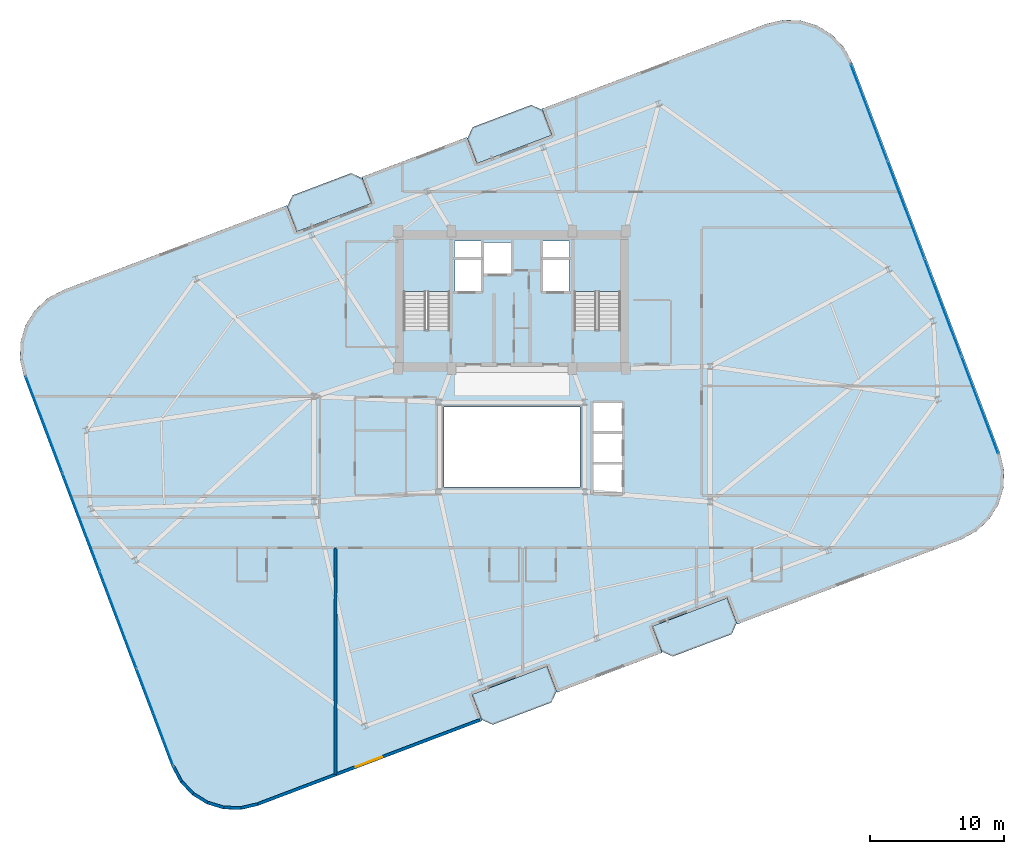
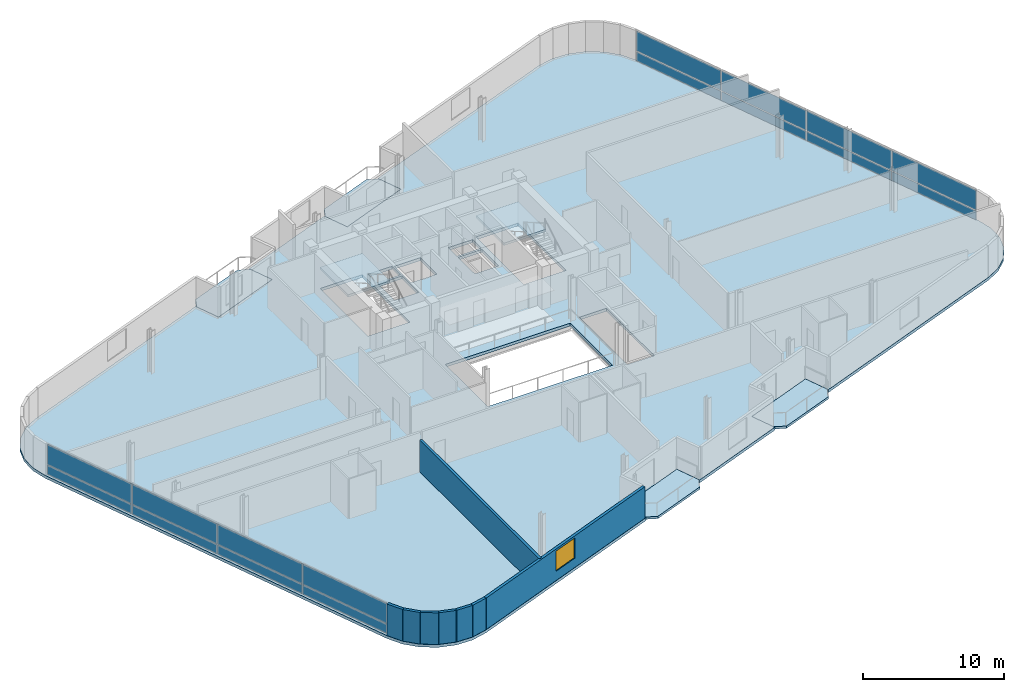
# One storey, part 13 of 19: 16 plates, 8 walls, 7 slabs, 1 window, 1 opening, 4 elements without a shape of their own.
"""IFC4 building model written with IfcOpenShell, lengths in metres."""

from ifc_helpers import new_model, si_unit, direction, frame, frame_2d, origin, origin_2d, place, context, subcontext, project, spatial, polyline, rectangle, outline, extrude, source, transform, mapped, material, layer, layer_set, type_object, element, fill, aggregate, save


model = new_model("IFC4")

# Units and contexts
model_context = context("Model", 3, precision=1e-05, world=origin(), true_north=direction((0.0, 1.0)))
body_context = subcontext(model_context, "Body", "Model", "MODEL_VIEW")
ifc_project = project(units=[si_unit("LENGTHUNIT", "METRE"), si_unit("AREAUNIT", "SQUARE_METRE"), si_unit("VOLUMEUNIT", "CUBIC_METRE"), si_unit("PLANEANGLEUNIT", "RADIAN"), si_unit("MASSUNIT", "GRAM", prefix="KILO")], contexts=[model_context])

# Site, building, storey
site_placement = place(None, origin())
site = spatial("IfcSite", under=ifc_project, at=site_placement, CompositionType="ELEMENT")
building_placement = place(site_placement, origin())
building = spatial("IfcBuilding", under=site, at=building_placement, Name="Varnelok Gate Tower", CompositionType="ELEMENT")
storey_placement = place(building_placement, frame((0.0, 0.0, 246.0)))
storey = spatial("IfcBuildingStorey", under=building, at=storey_placement, Name="L63", CompositionType="ELEMENT", Elevation=246.0)

# Slabs
ifc_material_1 = material(Name="Concrete C45/55", Category="concrete")
ifc_layer_1 = layer(ifc_material_1, 0.199951171875)
ifc_layer_set_1 = layer_set([ifc_layer_1], Name="Concrete C45/55")
slab_type_1 = type_object("IfcSlabType", Name="SLB-BALC-200", PredefinedType="FLOOR", material=ifc_layer_set_1)
slab_1_placement = place(storey_placement, frame((0.0, 0.0, -0.199951171875)))
element("IfcSlab", 1, at=slab_1_placement, inside=storey, type_object=slab_type_1, Name="L63 South Hollow Balcony 1", PredefinedType="FLOOR", context=body_context, shape_type="SweptSolid", body=[
    extrude(outline(polyline([(36.9189453125, 2.5166015625), (37.757080078125, 2.138916015625), (42.152587890625, 3.802978515625), (42.530517578125, 4.640869140625), (41.822265625, 6.51123046875), (36.2109375, 4.386962890625), (36.9189453125, 2.5166015625)])), origin(), (0.0, 0.0, 1.0), 0.199951171875),
])
slab_2_placement = place(storey_placement, frame((0.0, 0.0, -0.199951171875)))
element("IfcSlab", 2, at=slab_2_placement, inside=storey, type_object=slab_type_1, Name="L63 South Hollow Balcony 2", PredefinedType="FLOOR", context=body_context, shape_type="SweptSolid", body=[
    extrude(outline(polyline([(50.38623046875, 7.614990234375), (51.22412109375, 7.2373046875), (55.619873046875, 8.9013671875), (55.99755859375, 9.739501953125), (55.289306640625, 11.60986328125), (49.677978515625, 9.485595703125), (50.38623046875, 7.614990234375)])), origin(), (0.0, 0.0, 1.0), 0.199951171875),
])
slab_3_placement = place(storey_placement, frame((0.0, 0.0, -0.199951171875)))
element("IfcSlab", 3, at=slab_3_placement, inside=storey, type_object=slab_type_1, Name="L63 North Hollow Balcony 1", PredefinedType="FLOOR", context=body_context, shape_type="SweptSolid", body=[
    extrude(outline(polyline([(23.110595703125, 38.990234375), (28.721923828125, 41.114501953125), (28.013916015625, 42.985107421875), (27.17578125, 43.36279296875), (22.7802734375, 41.698486328125), (22.402587890625, 40.860595703125), (23.110595703125, 38.990234375)])), origin(), (0.0, 0.0, 1.0), 0.199951171875),
])
slab_4_placement = place(storey_placement, frame((0.0, 0.0, -0.199951171875)))
element("IfcSlab", 4, at=slab_4_placement, inside=storey, type_object=slab_type_1, Name="L63 North Hollow Balcony 2", PredefinedType="FLOOR", context=body_context, shape_type="SweptSolid", body=[
    extrude(outline(polyline([(36.577880859375, 44.088623046875), (42.189208984375, 46.212890625), (41.48095703125, 48.08349609375), (40.642822265625, 48.461181640625), (36.247314453125, 46.797119140625), (35.86962890625, 45.958984375), (36.577880859375, 44.088623046875)])), origin(), (0.0, 0.0, 1.0), 0.199951171875),
])

# Stair, slab
ifc_material_2 = material(Name="Concrete C50/60", Category="concrete")
stair_type = type_object("IfcStairType", Name="STR-CORE-1650", PredefinedType="HALF_TURN_STAIR", material=ifc_material_2)
stair_1_placement = place(storey_placement, origin())
stair_1 = element("IfcStair", 5, at=stair_1_placement, inside=storey, type_object=stair_type, Name="L63 Exit Stair ST-1", PredefinedType="HALF_TURN_STAIR")
ifc_layer_2 = layer(ifc_material_1, 0.199951171875)
ifc_layer_set_2 = layer_set([ifc_layer_2], Name="Concrete C45/55")
slab_type_2 = type_object("IfcSlabType", Name="SLB-LAND-200", PredefinedType="LANDING", material=ifc_layer_set_2)
slab_5_placement = place(storey_placement, frame((0.0, 0.0, 1.64990234375)))
slab_5 = element("IfcSlab", 6, at=slab_5_placement, type_object=slab_type_2, Name="ST-1 landing 1", PredefinedType="LANDING", context=body_context, shape_type="SweptSolid", body=[
    extrude(outline(polyline([(34.550048828125, 34.5), (34.550048828125, 38.449951171875), (31.10009765625, 38.449951171875), (31.10009765625, 34.5), (34.550048828125, 34.5)])), origin(), (0.0, 0.0, 1.0), 0.2001953125),
])
aggregate(stair_1, [slab_5])

stair_2_placement = place(storey_placement, origin())
stair_2 = element("IfcStair", 7, at=stair_2_placement, inside=storey, type_object=stair_type, Name="L63 Exit Stair ST-2", PredefinedType="HALF_TURN_STAIR")
slab_6_placement = place(storey_placement, frame((0.0, 0.0, 1.64990234375)))
slab_6 = element("IfcSlab", 8, at=slab_6_placement, type_object=slab_type_2, Name="ST-2 landing 1", PredefinedType="LANDING", context=body_context, shape_type="SweptSolid", body=[
    extrude(outline(polyline([(47.300048828125, 34.5), (47.300048828125, 38.449951171875), (43.85009765625, 38.449951171875), (43.85009765625, 34.5), (47.300048828125, 34.5)])), origin(), (0.0, 0.0, 1.0), 0.2001953125),
])
aggregate(stair_2, [slab_6])

# Slab
ifc_layer_3 = layer(ifc_material_2, 0.25)
ifc_layer_set_3 = layer_set([ifc_layer_3], Name="Concrete C50/60")
slab_type_3 = type_object("IfcSlabType", Name="SLB-TYP-250", PredefinedType="FLOOR", material=ifc_layer_set_3)
slab_7_placement = place(storey_placement, frame((0.0, 0.0, -0.25)))
element("IfcSlab", 9, at=slab_7_placement, inside=storey, type_object=slab_type_3, Name="L63 Structural Floor Slab", PredefinedType="FLOOR", context=body_context, shape_type="SweptSolid", body=[
    extrude(outline(polyline([(13.767578125, -1.0087890625), (14.385009765625, -2.158935546875), (15.279296875, -3.10986328125), (16.388916015625, -3.796875), (17.638671875, -4.17333984375), (18.943359375, -4.213623046875), (20.214111328125, -3.914794921875), (29.8779296875, -0.256103515625), (36.954345703125, 2.423095703125), (36.2109375, 4.386962890625), (41.822265625, 6.51123046875), (42.56591796875, 4.54736328125), (50.421630859375, 7.521484375), (49.677978515625, 9.485595703125), (55.289306640625, 11.60986328125), (56.032958984375, 9.64599609375), (63.109619140625, 12.324951171875), (72.7734375, 15.983642578125), (73.92333984375, 16.60107421875), (74.874267578125, 17.495361328125), (75.561279296875, 18.60498046875), (75.93798828125, 19.854736328125), (75.97802734375, 21.159423828125), (75.67919921875, 22.429931640625), (64.632568359375, 51.60888671875), (64.014892578125, 52.7587890625), (63.120849609375, 53.709716796875), (62.010986328125, 54.39697265625), (60.76123046875, 54.7734375), (59.45654296875, 54.813720703125), (58.18603515625, 54.5146484375), (48.522216796875, 50.856201171875), (41.445556640625, 48.177001953125), (42.189208984375, 46.212890625), (36.577880859375, 44.088623046875), (35.834228515625, 46.052490234375), (27.978515625, 43.07861328125), (28.721923828125, 41.114501953125), (23.110595703125, 38.990234375), (22.3671875, 40.9541015625), (15.29052734375, 38.275146484375), (5.626708984375, 34.616455078125), (4.4765625, 33.998779296875), (3.525634765625, 33.104736328125), (2.838623046875, 31.9951171875), (2.462158203125, 30.7451171875), (2.422119140625, 29.440673828125), (2.720703125, 28.169921875), (13.767578125, -1.0087890625)]), holes=[polyline([(34.550048828125, 31.679931640625), (34.550048828125, 38.449951171875), (31.10009765625, 38.449951171875), (31.10009765625, 31.679931640625), (34.550048828125, 31.679931640625)]), polyline([(47.300048828125, 31.679931640625), (47.300048828125, 38.449951171875), (43.85009765625, 38.449951171875), (43.85009765625, 31.679931640625), (47.300048828125, 31.679931640625)]), polyline([(34.949951171875, 34.550048828125), (36.89990234375, 34.550048828125), (36.89990234375, 36.89990234375), (34.949951171875, 36.89990234375), (34.949951171875, 34.550048828125)]), polyline([(41.5, 34.550048828125), (43.449951171875, 34.550048828125), (43.449951171875, 36.89990234375), (41.5, 36.89990234375), (41.5, 34.550048828125)]), polyline([(37.050048828125, 35.85009765625), (39.14990234375, 35.85009765625), (39.14990234375, 38.199951171875), (37.050048828125, 38.199951171875), (37.050048828125, 35.85009765625)]), polyline([(45.25, 19.449951171875), (47.449951171875, 19.449951171875), (47.449951171875, 26.199951171875), (45.25, 26.199951171875), (45.25, 19.449951171875)]), polyline([(34.919921875, 37.080078125), (36.89990234375, 37.080078125), (36.89990234375, 38.280029296875), (34.919921875, 38.280029296875), (34.919921875, 37.080078125)]), polyline([(41.5, 37.080078125), (43.47998046875, 37.080078125), (43.47998046875, 38.280029296875), (41.5, 38.280029296875), (41.5, 37.080078125)]), polyline([(34.10009765625, 19.89990234375), (44.300048828125, 19.89990234375), (44.300048828125, 25.89990234375), (34.10009765625, 25.89990234375), (34.10009765625, 19.89990234375)])]), origin(), (0.0, 0.0, 1.0), 0.25),
])

# Curtain wall, plates
ifc_material_3 = material(Name="Anodized Aluminum Alloy 6063-T6", Category="aluminium")
ifc_layer_4 = layer(ifc_material_3, 0.179931640625)
ifc_layer_set_4 = layer_set([ifc_layer_4], Name="Anodized Aluminum Alloy 6063-T6")
curtain_wall_type = type_object("IfcCurtainWallType", Name="CW4-RESIDENCE-VISION", PredefinedType="USERDEFINED", material=ifc_layer_set_4)
curtain_wall_1_placement = place(storey_placement, origin())
curtain_wall_1 = element("IfcCurtainWall", 10, at=curtain_wall_1_placement, inside=storey, type_object=curtain_wall_type, Name="L63 West End Vision Curtain Wall", ObjectType="UNITISED CURTAIN WALL", PredefinedType="USERDEFINED")
ifc_material_4 = material(Name="Low-E Laminated Double Glazing IGU", Category="glass")
ifc_layer_5 = layer(ifc_material_4, 0.035888671875)
ifc_layer_set_5 = layer_set([ifc_layer_5], Name="Low-E Laminated Double Glazing IGU")
plate_type = type_object("IfcPlateType", Name="CW-PNL-IGU36", PredefinedType="CURTAIN_PANEL", material=ifc_layer_set_5)
shared_shape_1 = source(origin(), body_context, "Body", "SweptSolid", [
    extrude(rectangle(XDim=7.6875, YDim=0.035888671875, at=origin_2d()), origin(), (0.0, 0.0, 1.0), 0.78759765625),
])
plate_1_placement = place(storey_placement, frame((12.510986328125, 2.70556640625, 0.074951171875), z_axis=(0.0, 0.0, 1.0), x_axis=(-0.354063042079, 0.935221557832, 0.0)))
plate_1 = element("IfcPlate", 11, at=plate_1_placement, type_object=plate_type, Name="CW4 panel 1.1", PredefinedType="CURTAIN_PANEL", context=body_context, shape_type="MappedRepresentation", body=[
    mapped(shared_shape_1, transform((0.0, 0.0, 0.0), scale=1.0)),
])
plate_2_placement = place(storey_placement, frame((4.2392578125, 24.5546875, 0.074951171875), z_axis=(0.0, 0.0, 1.0), x_axis=(-0.354063042079, 0.935221557832, 0.0)))
plate_2 = element("IfcPlate", 12, at=plate_2_placement, type_object=plate_type, Name="CW4 panel 4.1", PredefinedType="CURTAIN_PANEL", context=body_context, shape_type="MappedRepresentation", body=[
    mapped(shared_shape_1, transform((0.0, 0.0, 0.0), scale=1.0)),
])

curtain_wall_2_placement = place(storey_placement, origin())
curtain_wall_2 = element("IfcCurtainWall", 13, at=curtain_wall_2_placement, inside=storey, type_object=curtain_wall_type, Name="L63 East End Vision Curtain Wall", ObjectType="UNITISED CURTAIN WALL", PredefinedType="USERDEFINED")
plate_3_placement = place(storey_placement, frame((65.888916015625, 47.89453125, 0.074951171875), z_axis=(0.0, 0.0, 1.0), x_axis=(0.354063042079, -0.935221557832, 0.0)))
plate_3 = element("IfcPlate", 14, at=plate_3_placement, type_object=plate_type, Name="CW4 panel 1.1", PredefinedType="CURTAIN_PANEL", context=body_context, shape_type="MappedRepresentation", body=[
    mapped(shared_shape_1, transform((0.0, 0.0, 0.0), scale=1.0)),
])
plate_4_placement = place(storey_placement, frame((74.160888671875, 26.04541015625, 0.074951171875), z_axis=(0.0, 0.0, 1.0), x_axis=(0.354063042079, -0.935221557832, 0.0)))
plate_4 = element("IfcPlate", 15, at=plate_4_placement, type_object=plate_type, Name="CW4 panel 4.1", PredefinedType="CURTAIN_PANEL", context=body_context, shape_type="MappedRepresentation", body=[
    mapped(shared_shape_1, transform((0.0, 0.0, 0.0), scale=1.0)),
])

# Plate
shared_shape_2 = source(origin(), body_context, "Body", "SweptSolid", [
    extrude(rectangle(XDim=7.6875, YDim=0.035888671875, at=origin_2d()), origin(), (0.0, 0.0, 1.0), 1.717529296875),
])
plate_5_placement = place(storey_placement, frame((12.510986328125, 2.70556640625, 0.9375), z_axis=(0.0, 0.0, 1.0), x_axis=(-0.354063042079, 0.935221557832, 0.0)))
plate_5 = element("IfcPlate", 16, at=plate_5_placement, type_object=plate_type, Name="CW4 panel 1.2", PredefinedType="CURTAIN_PANEL", context=body_context, shape_type="MappedRepresentation", body=[
    mapped(shared_shape_2, transform((0.0, 0.0, 0.0), scale=1.0)),
])

plate_6_placement = place(storey_placement, frame((4.2392578125, 24.5546875, 0.9375), z_axis=(0.0, 0.0, 1.0), x_axis=(-0.354063042079, 0.935221557832, 0.0)))
plate_6 = element("IfcPlate", 17, at=plate_6_placement, type_object=plate_type, Name="CW4 panel 4.2", PredefinedType="CURTAIN_PANEL", context=body_context, shape_type="MappedRepresentation", body=[
    mapped(shared_shape_2, transform((0.0, 0.0, 0.0), scale=1.0)),
])

plate_7_placement = place(storey_placement, frame((65.888916015625, 47.89453125, 0.9375), z_axis=(0.0, 0.0, 1.0), x_axis=(0.354063042079, -0.935221557832, 0.0)))
plate_7 = element("IfcPlate", 18, at=plate_7_placement, type_object=plate_type, Name="CW4 panel 1.2", PredefinedType="CURTAIN_PANEL", context=body_context, shape_type="MappedRepresentation", body=[
    mapped(shared_shape_2, transform((0.0, 0.0, 0.0), scale=1.0)),
])

plate_8_placement = place(storey_placement, frame((74.160888671875, 26.04541015625, 0.9375), z_axis=(0.0, 0.0, 1.0), x_axis=(0.354063042079, -0.935221557832, 0.0)))
plate_8 = element("IfcPlate", 19, at=plate_8_placement, type_object=plate_type, Name="CW4 panel 4.2", PredefinedType="CURTAIN_PANEL", context=body_context, shape_type="MappedRepresentation", body=[
    mapped(shared_shape_2, transform((0.0, 0.0, 0.0), scale=1.0)),
])

shared_shape_3 = source(origin(), body_context, "Body", "SweptSolid", [
    extrude(rectangle(XDim=7.72509765625, YDim=0.035888671875, at=origin_2d()), origin(), (0.0, 0.0, 1.0), 0.78759765625),
])
plate_9_placement = place(storey_placement, frame((9.755859375, 9.982666015625, 0.074951171875), z_axis=(0.0, 0.0, 1.0), x_axis=(-0.354063042079, 0.935221557832, 0.0)))
plate_9 = element("IfcPlate", 20, at=plate_9_placement, type_object=plate_type, Name="CW4 panel 2.1", PredefinedType="CURTAIN_PANEL", context=body_context, shape_type="MappedRepresentation", body=[
    mapped(shared_shape_3, transform((0.0, 0.0, 0.0), scale=1.0)),
])

plate_10_placement = place(storey_placement, frame((6.994140625, 17.277587890625, 0.074951171875), z_axis=(0.0, 0.0, 1.0), x_axis=(-0.354063042079, 0.935221557832, 0.0)))
plate_10 = element("IfcPlate", 21, at=plate_10_placement, type_object=plate_type, Name="CW4 panel 3.1", PredefinedType="CURTAIN_PANEL", context=body_context, shape_type="MappedRepresentation", body=[
    mapped(shared_shape_3, transform((0.0, 0.0, 0.0), scale=1.0)),
])

plate_11_placement = place(storey_placement, frame((68.64404296875, 40.6171875, 0.074951171875), z_axis=(0.0, 0.0, 1.0), x_axis=(0.354063042079, -0.935221557832, 0.0)))
plate_11 = element("IfcPlate", 22, at=plate_11_placement, type_object=plate_type, Name="CW4 panel 2.1", PredefinedType="CURTAIN_PANEL", context=body_context, shape_type="MappedRepresentation", body=[
    mapped(shared_shape_3, transform((0.0, 0.0, 0.0), scale=1.0)),
])

plate_12_placement = place(storey_placement, frame((71.40576171875, 33.322509765625, 0.074951171875), z_axis=(0.0, 0.0, 1.0), x_axis=(0.354063042079, -0.935221557832, 0.0)))
plate_12 = element("IfcPlate", 23, at=plate_12_placement, type_object=plate_type, Name="CW4 panel 3.1", PredefinedType="CURTAIN_PANEL", context=body_context, shape_type="MappedRepresentation", body=[
    mapped(shared_shape_3, transform((0.0, 0.0, 0.0), scale=1.0)),
])

shared_shape_4 = source(origin(), body_context, "Body", "SweptSolid", [
    extrude(rectangle(XDim=7.72509765625, YDim=0.035888671875, at=origin_2d()), origin(), (0.0, 0.0, 1.0), 1.717529296875),
])
plate_13_placement = place(storey_placement, frame((9.755859375, 9.982666015625, 0.9375), z_axis=(0.0, 0.0, 1.0), x_axis=(-0.354063042079, 0.935221557832, 0.0)))
plate_13 = element("IfcPlate", 24, at=plate_13_placement, type_object=plate_type, Name="CW4 panel 2.2", PredefinedType="CURTAIN_PANEL", context=body_context, shape_type="MappedRepresentation", body=[
    mapped(shared_shape_4, transform((0.0, 0.0, 0.0), scale=1.0)),
])

plate_14_placement = place(storey_placement, frame((6.994140625, 17.277587890625, 0.9375), z_axis=(0.0, 0.0, 1.0), x_axis=(-0.354063042079, 0.935221557832, 0.0)))
plate_14 = element("IfcPlate", 25, at=plate_14_placement, type_object=plate_type, Name="CW4 panel 3.2", PredefinedType="CURTAIN_PANEL", context=body_context, shape_type="MappedRepresentation", body=[
    mapped(shared_shape_4, transform((0.0, 0.0, 0.0), scale=1.0)),
])

aggregate(curtain_wall_1, [plate_1, plate_5, plate_9, plate_13, plate_10, plate_14, plate_2, plate_6])

plate_15_placement = place(storey_placement, frame((68.64404296875, 40.6171875, 0.9375), z_axis=(0.0, 0.0, 1.0), x_axis=(0.354063042079, -0.935221557832, 0.0)))
plate_15 = element("IfcPlate", 26, at=plate_15_placement, type_object=plate_type, Name="CW4 panel 2.2", PredefinedType="CURTAIN_PANEL", context=body_context, shape_type="MappedRepresentation", body=[
    mapped(shared_shape_4, transform((0.0, 0.0, 0.0), scale=1.0)),
])

plate_16_placement = place(storey_placement, frame((71.40576171875, 33.322509765625, 0.9375), z_axis=(0.0, 0.0, 1.0), x_axis=(0.354063042079, -0.935221557832, 0.0)))
plate_16 = element("IfcPlate", 27, at=plate_16_placement, type_object=plate_type, Name="CW4 panel 3.2", PredefinedType="CURTAIN_PANEL", context=body_context, shape_type="MappedRepresentation", body=[
    mapped(shared_shape_4, transform((0.0, 0.0, 0.0), scale=1.0)),
])

aggregate(curtain_wall_2, [plate_3, plate_7, plate_11, plate_15, plate_12, plate_16, plate_4, plate_8])

# Walls
ifc_layer_6 = layer(ifc_material_1, 0.219970703125)
ifc_layer_set_6 = layer_set([ifc_layer_6], Name="Concrete C45/55")
wall_type_1 = type_object("IfcWallType", Name="EW-BALC-220", PredefinedType="SOLIDWALL", material=ifc_layer_set_6)
wall_1_placement = place(storey_placement, frame((13.880615234375, -0.966064453125, 0.0), z_axis=(0.0, 0.0, 1.0), x_axis=(0.473242342135, -0.88093228208, 0.0)))
element("IfcWall", 28, at=wall_1_placement, inside=storey, type_object=wall_type_1, Name="L63 Perimeter Facade Closure Wall 1", PredefinedType="SOLIDWALL", context=body_context, shape_type="SweptSolid", body=[
    extrude(rectangle(XDim=1.273681640625, YDim=0.219970703125, at=frame_2d((0.63671875, 0.0))), origin(), (0.0, 0.0, 1.0), 2.72998046875),
])
for number, where, z_axis, x_axis, name in (
    (29, (14.50048828125, -2.1064453125, 0.0), (0.0, 0.0, 1.0), (0.684968140504, -0.728573020702, 0.0), "L63 Perimeter Facade Closure Wall 2"),
    (30, (15.377197265625, -3.029296875, 0.0), (0.0, 0.0, 1.0), (0.850231806078, -0.526408468713, 0.0), "L63 Perimeter Facade Closure Wall 3"),
    (31, (16.462646484375, -3.69384765625, 0.0), (0.0, 0.0, 1.0), (0.957508189204, -0.288406081086, 0.0), "L63 Perimeter Facade Closure Wall 4"),
):
    element("IfcWall", number, at=place(storey_placement, frame(where, z_axis=z_axis, x_axis=x_axis)), inside=storey, type_object=wall_type_1, Name=name, PredefinedType="SOLIDWALL", context=body_context, shape_type="SweptSolid", body=[
        extrude(rectangle(XDim=1.24853515625, YDim=0.219970703125, at=frame_2d((0.624267578125, 0.0))), origin(), (0.0, 0.0, 1.0), 2.72998046875),
    ])
wall_2_placement = place(storey_placement, frame((17.68310546875, -4.0546875, 0.0), z_axis=(0.0, 0.0, 1.0), x_axis=(0.999522886512, -0.030886879732, 0.0)))
element("IfcWall", 32, at=wall_2_placement, inside=storey, type_object=wall_type_1, Name="L63 Perimeter Facade Closure Wall 5", PredefinedType="SOLIDWALL", context=body_context, shape_type="SweptSolid", body=[
    extrude(rectangle(XDim=1.248779296875, YDim=0.219970703125, at=frame_2d((0.62451171875, 0.0))), origin(), (0.0, 0.0, 1.0), 2.72998046875),
])
wall_3_placement = place(storey_placement, frame((18.95556640625, -4.08740234375, 0.0), z_axis=(0.0, 0.0, 1.0), x_axis=(0.973463008152, 0.228844426981, 0.0)))
element("IfcWall", 33, at=wall_3_placement, inside=storey, type_object=wall_type_1, Name="L63 Perimeter Facade Closure Wall 6", PredefinedType="SOLIDWALL", context=body_context, shape_type="SweptSolid", body=[
    extrude(rectangle(XDim=1.2568359375, YDim=0.219970703125, at=frame_2d((0.62841796875, 0.0))), origin(), (0.0, 0.0, 1.0), 2.72998046875),
])

# Wall, opening, window
wall_4_placement = place(storey_placement, frame((20.2021484375, -3.790771484375, 0.0), z_axis=(0.0, 0.0, 1.0), x_axis=(0.935225574232, 0.354052432984, 0.0)))
wall_4 = element("IfcWall", 34, at=wall_4_placement, inside=storey, type_object=wall_type_1, Name="L63 Perimeter Facade Closure Wall 7", PredefinedType="SOLIDWALL", context=body_context, shape_type="SweptSolid", body=[
    extrude(rectangle(XDim=17.747314453125, YDim=0.219970703125, at=frame_2d((8.87353515625, 0.0))), origin(), (0.0, 0.0, 1.0), 2.72998046875),
])
opening_placement = place(wall_4_placement, frame((7.823486328125, 0.0, 0.800048828125)))
opening = element("IfcOpeningElement", 35, at=opening_placement, cuts=wall_4, Name="Opening WN4", PredefinedType="OPENING", context=body_context, shape_type="SweptSolid", body=[
    extrude(rectangle(XDim=2.10009765625, YDim=1.75, at=frame_2d((1.050048828125, 0.875))), frame((0.0, 0.119873046875, 0.0), z_axis=(0.0, -1.0, 0.0), x_axis=(1.0, 0.0, 0.0)), (0.0, 0.0, 1.0), 0.239990234375),
])
window_type = type_object("IfcWindowType", Name="WN-SUI-2100", PartitioningType="SINGLE_PANEL", PredefinedType="WINDOW", material=ifc_material_4)
window_placement = place(opening_placement, origin())
window = element("IfcWindow", 36, at=window_placement, inside=storey, type_object=window_type, Name="L63 Perimeter Vision Window 7", OverallHeight=1.75, OverallWidth=2.10009765625, PartitioningType="SINGLE_PANEL", PredefinedType="WINDOW", context=body_context, shape_type="SweptSolid", body=[
    extrude(rectangle(XDim=2.10009765625, YDim=1.75, at=frame_2d((1.050048828125, 0.875))), frame((0.0, 0.030029296875, 0.0), z_axis=(0.0, -1.0, 0.0), x_axis=(1.0, 0.0, 0.0)), (0.0, 0.0, 1.0), 0.06005859375),
])
fill(opening, window)

# Wall
ifc_material_5 = material(Name="Gypsum Plasterboard Acoustic Partition", Category="gypsum")
ifc_layer_7 = layer(ifc_material_5, 0.205078125)
ifc_layer_set_7 = layer_set([ifc_layer_7], Name="Gypsum Plasterboard Acoustic Partition")
wall_type_2 = type_object("IfcWallType", Name="PW-PARTY-200", PredefinedType="PARTITIONING", material=ifc_layer_set_7)
wall_5_placement = place(storey_placement, frame((26.0, -1.574462890625, 0.0), z_axis=(0.0, 0.0, 1.0), x_axis=(0.0, 1.0, 0.0)))
element("IfcWall", 37, at=wall_5_placement, inside=storey, type_object=wall_type_2, Name="L63 South Party Wall 1", PredefinedType="PARTITIONING", context=body_context, shape_type="SweptSolid", body=[
    extrude(rectangle(XDim=16.924560546875, YDim=0.205078125, at=frame_2d((8.46240234375, 0.0))), origin(), (0.0, 0.0, 1.0), 2.739013671875),
])

save(model, "model.ifc")
